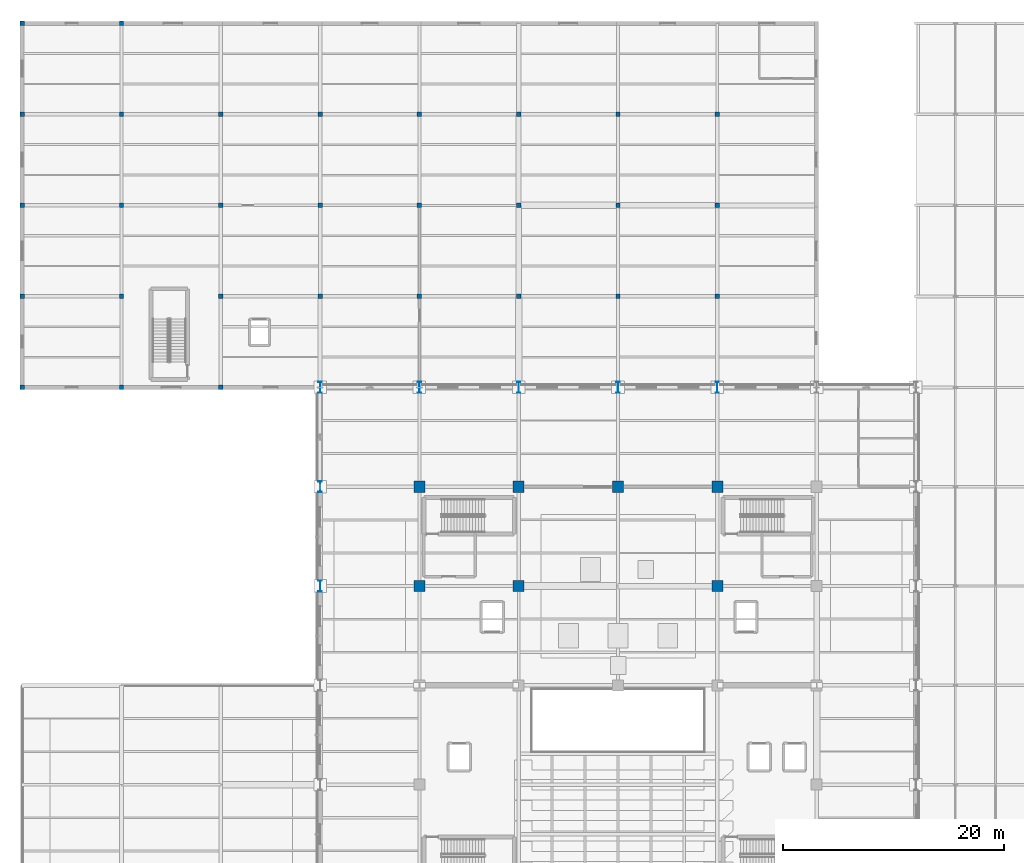
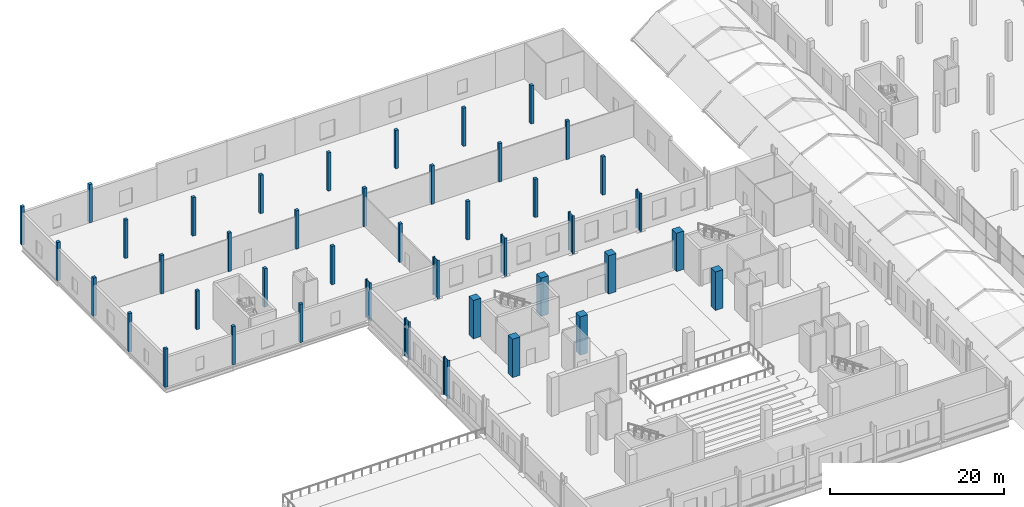
# One storey, part 5 of 141: 43 columns.
"""IFC4 building model written with IfcOpenShell, lengths in metres."""

import ifcopenshell
import ifcopenshell.guid

model = None  # the IFC model being written
_history = None  # IfcOwnerHistory: only IFC2X3 demands one
_inside = {}  # id of a spatial element -> (the spatial element, [elements in it])
_under = {}  # id of a project, library or spatial element -> (it, [spatial elements below it])
_declared = {}  # id of a project -> (the project, [libraries it declares])
_typed = {}  # id of a type object -> (the type object, [elements of that type])
_made_of = {}  # id of a material, layer set ... -> (it, [elements and type objects made of it])


def new_model(schema):
    """Start an empty IFC model of exactly this schema.

    Asked for "IFC4X3", IfcOpenShell would pick the latest addendum, in which some entities
    have other attributes; the version numbers below select the first issue.
    IFC2X3 requires an IfcOwnerHistory on every rooted entity: one is made here for all.
    """
    global model, _history
    if schema == "IFC4X3":
        model = ifcopenshell.file(schema_version=(4, 3, 0, 0))
    else:
        model = ifcopenshell.file(schema=schema)
    _inside.clear()
    _under.clear()
    _declared.clear()
    _typed.clear()
    _made_of.clear()
    _history = None
    if model.schema == "IFC2X3":
        org = make("IfcOrganization", Name="unknown")
        user = make(
            "IfcPersonAndOrganization",
            ThePerson=make("IfcPerson", FamilyName="unknown"),
            TheOrganization=org,
        )
        app = make(
            "IfcApplication",
            ApplicationDeveloper=org,
            Version="unknown",
            ApplicationFullName="unknown",
            ApplicationIdentifier="unknown",
        )
        _history = make(
            "IfcOwnerHistory",
            OwningUser=user,
            OwningApplication=app,
            ChangeAction="ADDED",
            CreationDate=0,
        )
    return model


def make(cls, **values):
    """One entity of the class cls with the attributes given. An attribute that is None is left unset."""
    return model.create_entity(
        cls, **{name: value for name, value in values.items() if value is not None}
    )


def rooted(cls, **values):
    """An entity with a GlobalId (a new one), such as an element, a storey or a relation."""
    return make(cls, GlobalId=ifcopenshell.guid.new(), OwnerHistory=_history, **values)


def si_unit(unit_type, name, prefix=None):
    """IfcSIUnit, for example si_unit("LENGTHUNIT", "METRE", prefix="MILLI")."""
    return make("IfcSIUnit", UnitType=unit_type, Prefix=prefix, Name=name)


def assignment(units):
    """IfcUnitAssignment: the units of a project."""
    return None if units is None else make("IfcUnitAssignment", Units=units)


def point(xyz):
    """IfcCartesianPoint."""
    return None if xyz is None else make("IfcCartesianPoint", Coordinates=xyz)


def direction(xyz):
    """IfcDirection."""
    return None if xyz is None else make("IfcDirection", DirectionRatios=xyz)


def frame(location, z_axis=None, x_axis=None):
    """IfcAxis2Placement3D, a coordinate frame: its origin and axes. An axis left out is left unset."""
    return make(
        "IfcAxis2Placement3D",
        Location=point(location),
        Axis=direction(z_axis),
        RefDirection=direction(x_axis),
    )


def frame_2d(location, x_axis=None):
    """IfcAxis2Placement2D, a coordinate frame in the plane: its origin and x axis."""
    return make(
        "IfcAxis2Placement2D", Location=point(location), RefDirection=direction(x_axis)
    )


def origin():
    """The frame at (0, 0, 0) with its axes left unset."""
    return frame((0.0, 0.0, 0.0))


def origin_2d():
    """The frame at (0, 0) in the plane with its x axis left unset."""
    return frame_2d((0.0, 0.0))


def place(relative_to, where):
    """IfcLocalPlacement: puts the frame where relative to a parent placement (None: the world)."""
    return make(
        "IfcLocalPlacement", PlacementRelTo=relative_to, RelativePlacement=where
    )


def context(
    kind, dimensions, precision=None, world=None, true_north=None, identifier=None
):
    """IfcGeometricRepresentationContext, for example the 3D "Model" context."""
    return make(
        "IfcGeometricRepresentationContext",
        ContextIdentifier=identifier,
        ContextType=kind,
        CoordinateSpaceDimension=dimensions,
        Precision=precision,
        WorldCoordinateSystem=world,
        TrueNorth=true_north,
    )


def subcontext(parent, identifier, kind, view, scale=None):
    """IfcGeometricRepresentationSubContext, for example "Body" below "Model"."""
    return make(
        "IfcGeometricRepresentationSubContext",
        ContextIdentifier=identifier,
        ContextType=kind,
        ParentContext=parent,
        TargetScale=scale,
        TargetView=view,
    )


def project(units=None, contexts=None):
    """IfcProject with its units and contexts."""
    return rooted(
        "IfcProject",
        Name="project",
        RepresentationContexts=contexts,
        UnitsInContext=assignment(units),
    )


def spatial(cls, under=None, at=None, **own):
    """A site, building, storey or space (cls), placed at a placement, below another one or the project."""
    s = rooted(cls, ObjectPlacement=at, **own)
    if under is not None:
        _under.setdefault(under.id(), (under, []))[1].append(s)
    return s


def profile(cls, at=None, kind="AREA", **sizes):
    """A parametric profile (cls). Its sizes go by their IFC names, for example OverallWidth=200.0."""
    return make(cls, ProfileType=kind, Position=at, **sizes)


def rectangle(**sizes):
    """IfcRectangleProfileDef."""
    return profile("IfcRectangleProfileDef", **sizes)


def i_section(**sizes):
    """IfcIShapeProfileDef."""
    return profile("IfcIShapeProfileDef", **sizes)


def extrude(swept, where, along, depth):
    """IfcExtrudedAreaSolid: the profile swept, set in the frame where, extruded along a direction by depth."""
    return make(
        "IfcExtrudedAreaSolid",
        SweptArea=swept,
        Position=where,
        ExtrudedDirection=direction(along),
        Depth=depth,
    )


def shape(context_of_items, identifier, shape_type, items):
    """IfcShapeRepresentation: the items that make up one representation, for example the "Body"."""
    return make(
        "IfcShapeRepresentation",
        ContextOfItems=context_of_items,
        RepresentationIdentifier=identifier,
        RepresentationType=shape_type,
        Items=items,
    )


def material(Name=None, Category=None):
    """IfcMaterial."""
    return make("IfcMaterial", Name=Name, Category=Category)


def material_profile(
    of_material, cross_section, Name=None, Category=None, Priority=None
):
    """IfcMaterialProfile: a cross section and its material."""
    return make(
        "IfcMaterialProfile",
        Name=Name,
        Material=of_material,
        Profile=cross_section,
        Priority=Priority,
        Category=Category,
    )


def profile_set(profiles, Name=None, composite=None):
    """IfcMaterialProfileSet."""
    return make(
        "IfcMaterialProfileSet",
        Name=Name,
        MaterialProfiles=profiles,
        CompositeProfile=composite,
    )


def made_of(thing, what):
    """Note that an element or type object is made of a material, layer set ...; save() writes the relation."""
    if what is not None:
        _made_of.setdefault(what.id(), (what, []))[1].append(thing)
    return thing


def type_object(cls, material=None, **own):
    """A type object (cls), such as IfcWallType, which elements share."""
    return made_of(rooted(cls, **own), material)


def element(
    cls,
    number,
    at=None,
    inside=None,
    cuts=None,
    type_object=None,
    material=None,
    context=None,
    identifier="Body",
    shape_type=None,
    held_by="IfcProductDefinitionShape",
    body=None,
    shapes=None,
    **own,
):
    """One element of the class cls, such as IfcWall. Its Tag is "e" and its number.

    at: its placement. inside: the storey or other place that contains it. cuts: it is an
    opening in that element (IfcRelVoidsElement). A single representation is given by context,
    identifier, shape_type and body (its items); several are given by shapes. held_by: the class
    of the entity that holds the representations. save() writes the other relations.
    """
    e = rooted(cls, Tag="e%d" % number, ObjectPlacement=at, **own)
    if body is not None:
        shapes = [shape(context, identifier, shape_type, body)]
    if shapes is not None:
        e.Representation = make(held_by, Representations=shapes)
    if inside is not None:
        _inside.setdefault(inside.id(), (inside, []))[1].append(e)
    if cuts is not None:
        rooted(
            "IfcRelVoidsElement", RelatingBuildingElement=cuts, RelatedOpeningElement=e
        )
    if type_object is not None:
        _typed.setdefault(type_object.id(), (type_object, []))[1].append(e)
    return made_of(e, material)


def aggregate(whole, parts):
    """IfcRelAggregates: a whole, such as a stair, and the parts it consists of."""
    return rooted("IfcRelAggregates", RelatingObject=whole, RelatedObjects=parts)


def save(model, path):
    """Write the relations noted so far, then the file.

    IfcRelAggregates (storeys below a building ...), IfcRelContainedInSpatialStructure (elements
    in a storey), IfcRelDefinesByType, IfcRelAssociatesMaterial and IfcRelDeclares: one each for
    every whole, place, type object, material and project.
    """
    for whole, parts in _under.values():
        aggregate(whole, parts)
    for where, things in _inside.values():
        rooted(
            "IfcRelContainedInSpatialStructure",
            RelatedElements=things,
            RelatingStructure=where,
        )
    for kind, things in _typed.values():
        rooted("IfcRelDefinesByType", RelatedObjects=things, RelatingType=kind)
    for what, things in _made_of.values():
        rooted("IfcRelAssociatesMaterial", RelatedObjects=things, RelatingMaterial=what)
    for by, libraries in _declared.values():
        rooted("IfcRelDeclares", RelatingContext=by, RelatedDefinitions=libraries)
    model.write(path)


model = new_model("IFC4")

# Units and contexts
model_context = context("Model", 3, precision=1e-05, world=origin(), true_north=direction((0.0, 1.0)))
body_context = subcontext(model_context, "Body", "Model", "MODEL_VIEW")
ifc_project = project(units=[si_unit("LENGTHUNIT", "METRE"), si_unit("AREAUNIT", "SQUARE_METRE"), si_unit("VOLUMEUNIT", "CUBIC_METRE"), si_unit("PLANEANGLEUNIT", "RADIAN"), si_unit("MASSUNIT", "GRAM", prefix="KILO")], contexts=[model_context])

# Site, building, storey
site_placement = place(None, origin())
site = spatial("IfcSite", under=ifc_project, at=site_placement, CompositionType="ELEMENT")
building_placement = place(site_placement, origin())
building = spatial("IfcBuilding", under=site, at=building_placement, Name="Sundgate Opera House", CompositionType="ELEMENT")
storey_placement = place(building_placement, frame((0.0, 0.0, 11.39990234375)))
storey = spatial("IfcBuildingStorey", under=building, at=storey_placement, Name="L02", CompositionType="ELEMENT", Elevation=11.39990234375)

# Columns
ifc_material_1 = material(Name="Concrete C45/55", Category="concrete")
ifc_material_profile_1 = material_profile(ifc_material_1, rectangle(XDim=1.0, YDim=1.0, at=origin_2d()), Name="RC 1000x1000")
ifc_profile_set_1 = profile_set([ifc_material_profile_1], Name="Concrete C45/55")
column_type_1 = type_object("IfcColumnType", Name="CL-RC-1000", PredefinedType="COLUMN", material=ifc_profile_set_1)
for number, where, z_axis, x_axis, name in (
    (1, (36.0, 69.0, 0.0), (0.0, 0.0, 1.0), (1.0, 0.0, 0.0), "L02 Column C0243"),
    (2, (36.0, 78.0, 0.0), (0.0, 0.0, 1.0), (1.0, 0.0, 0.0), "L02 Column C0251"),
    (3, (45.0, 69.0, 0.0), (0.0, 0.0, 1.0), (1.0, 0.0, 0.0), "L02 Column C0303"),
    (4, (45.0, 78.0, 0.0), (0.0, 0.0, 1.0), (1.0, 0.0, 0.0), "L02 Column C0311"),
    (5, (54.0, 78.0, 0.0), (0.0, 0.0, 1.0), (1.0, 0.0, 0.0), "L02 Column C0366"),
    (6, (63.0, 69.0, 0.0), (0.0, 0.0, 1.0), (1.0, 0.0, 0.0), "L02 Column C0419"),
    (7, (63.0, 78.0, 0.0), (0.0, 0.0, 1.0), (1.0, 0.0, 0.0), "L02 Column C0427"),
):
    element("IfcColumn", number, at=place(storey_placement, frame(where, z_axis=z_axis, x_axis=x_axis)), inside=storey, type_object=column_type_1, Name=name, PredefinedType="COLUMN", context=body_context, shape_type="SweptSolid", body=[
        extrude(rectangle(XDim=1.0, YDim=1.0, at=origin_2d()), origin(), (0.0, 0.0, 1.0), 5.400146484375),
    ])
ifc_material_2 = material(Name="Concrete C35/45", Category="concrete")
ifc_material_profile_2 = material_profile(ifc_material_2, rectangle(XDim=0.39990234375, YDim=0.39990234375, at=origin_2d()), Name="RC 400x400")
ifc_profile_set_2 = profile_set([ifc_material_profile_2], Name="Concrete C35/45")
column_type_2 = type_object("IfcColumnType", Name="CL-RC-400", PredefinedType="COLUMN", material=ifc_profile_set_2)
for number, where, z_axis, x_axis, name in (
    (8, (0.0, 87.0, 0.0), (0.0, 0.0, 1.0), (1.0, 0.0, 0.0), "L02 Column C0032"),
    (9, (0.0, 95.25, 0.0), (0.0, 0.0, 1.0), (1.0, 0.0, 0.0), "L02 Column C0036"),
    (10, (0.0, 103.5, 0.0), (0.0, 0.0, 1.0), (1.0, 0.0, 0.0), "L02 Column C0040"),
    (11, (0.0, 111.75, 0.0), (0.0, 0.0, 1.0), (1.0, 0.0, 0.0), "L02 Column C0044"),
    (12, (0.0, 120.0, 0.0), (0.0, 0.0, 1.0), (1.0, 0.0, 0.0), "L02 Column C0048"),
    (13, (9.0, 87.0, 0.0), (0.0, 0.0, 1.0), (1.0, 0.0, 0.0), "L02 Column C0080"),
    (14, (9.0, 95.25, 0.0), (0.0, 0.0, 1.0), (1.0, 0.0, 0.0), "L02 Column C0085"),
    (15, (9.0, 103.5, 0.0), (0.0, 0.0, 1.0), (1.0, 0.0, 0.0), "L02 Column C0090"),
    (16, (9.0, 111.75, 0.0), (0.0, 0.0, 1.0), (1.0, 0.0, 0.0), "L02 Column C0095"),
    (17, (9.0, 120.0, 0.0), (0.0, 0.0, 1.0), (1.0, 0.0, 0.0), "L02 Column C0100"),
    (18, (18.0, 87.0, 0.0), (0.0, 0.0, 1.0), (1.0, 0.0, 0.0), "L02 Column C0129"),
    (19, (18.0, 95.25, 0.0), (0.0, 0.0, 1.0), (1.0, 0.0, 0.0), "L02 Column C0134"),
    (20, (18.0, 103.5, 0.0), (0.0, 0.0, 1.0), (1.0, 0.0, 0.0), "L02 Column C0139"),
    (21, (18.0, 111.75, 0.0), (0.0, 0.0, 1.0), (1.0, 0.0, 0.0), "L02 Column C0144"),
    (22, (27.0, 95.25, 0.0), (0.0, 0.0, 1.0), (1.0, 0.0, 0.0), "L02 Column C0200"),
    (23, (27.0, 103.5, 0.0), (0.0, 0.0, 1.0), (1.0, 0.0, 0.0), "L02 Column C0205"),
    (24, (27.0, 111.75, 0.0), (0.0, 0.0, 1.0), (1.0, 0.0, 0.0), "L02 Column C0210"),
    (25, (36.0, 95.25, 0.0), (0.0, 0.0, 1.0), (1.0, 0.0, 0.0), "L02 Column C0265"),
    (26, (36.0, 103.5, 0.0), (0.0, 0.0, 1.0), (1.0, 0.0, 0.0), "L02 Column C0270"),
    (27, (36.0, 111.75, 0.0), (0.0, 0.0, 1.0), (1.0, 0.0, 0.0), "L02 Column C0275"),
    (28, (45.0, 95.25, 0.0), (0.0, 0.0, 1.0), (1.0, 0.0, 0.0), "L02 Column C0325"),
    (29, (45.0, 103.5, 0.0), (0.0, 0.0, 1.0), (1.0, 0.0, 0.0), "L02 Column C0330"),
    (30, (45.0, 111.75, 0.0), (0.0, 0.0, 1.0), (1.0, 0.0, 0.0), "L02 Column C0335"),
    (31, (54.0, 95.25, 0.0), (0.0, 0.0, 1.0), (1.0, 0.0, 0.0), "L02 Column C0380"),
    (32, (54.0, 103.5, 0.0), (0.0, 0.0, 1.0), (1.0, 0.0, 0.0), "L02 Column C0385"),
    (33, (54.0, 111.75, 0.0), (0.0, 0.0, 1.0), (1.0, 0.0, 0.0), "L02 Column C0390"),
    (34, (63.0, 95.25, 0.0), (0.0, 0.0, 1.0), (1.0, 0.0, 0.0), "L02 Column C0441"),
    (35, (63.0, 103.5, 0.0), (0.0, 0.0, 1.0), (1.0, 0.0, 0.0), "L02 Column C0446"),
    (36, (63.0, 111.75, 0.0), (0.0, 0.0, 1.0), (1.0, 0.0, 0.0), "L02 Column C0451"),
):
    element("IfcColumn", number, at=place(storey_placement, frame(where, z_axis=z_axis, x_axis=x_axis)), inside=storey, type_object=column_type_2, Name=name, PredefinedType="COLUMN", context=body_context, shape_type="SweptSolid", body=[
        extrude(rectangle(XDim=0.39990234375, YDim=0.39990234375, at=origin_2d()), origin(), (0.0, 0.0, 1.0), 5.400146484375),
    ])
ifc_material_3 = material(Name="Steel S355J2", Category="steel")
ifc_material_profile_3 = material_profile(ifc_material_3, i_section(OverallWidth=0.300048828125, OverallDepth=1.0, WebThickness=0.01904296875, FlangeThickness=0.035888671875, at=origin_2d()), Name="HEB 1000")
ifc_profile_set_3 = profile_set([ifc_material_profile_3], Name="Steel S355J2")
column_type_3 = type_object("IfcColumnType", Name="CL-STL-1000", PredefinedType="COLUMN", material=ifc_profile_set_3)
for number, where, z_axis, x_axis, name in (
    (37, (27.0, 69.0, 0.0), (0.0, 0.0, 1.0), (1.0, 0.0, 0.0), "L02 Column C0180"),
    (38, (27.0, 78.0, 0.0), (0.0, 0.0, 1.0), (1.0, 0.0, 0.0), "L02 Column C0186"),
    (39, (27.0, 87.0, 0.0), (0.0, 0.0, 1.0), (1.0, 0.0, 0.0), "L02 Column C0192"),
    (40, (36.0, 87.0, 0.0), (0.0, 0.0, 1.0), (1.0, 0.0, 0.0), "L02 Column C0257"),
    (41, (45.0, 87.0, 0.0), (0.0, 0.0, 1.0), (1.0, 0.0, 0.0), "L02 Column C0317"),
    (42, (54.0, 87.0, 0.0), (0.0, 0.0, 1.0), (1.0, 0.0, 0.0), "L02 Column C0372"),
    (43, (63.0, 87.0, 0.0), (0.0, 0.0, 1.0), (1.0, 0.0, 0.0), "L02 Column C0433"),
):
    element("IfcColumn", number, at=place(storey_placement, frame(where, z_axis=z_axis, x_axis=x_axis)), inside=storey, type_object=column_type_3, Name=name, PredefinedType="COLUMN", context=body_context, shape_type="SweptSolid", body=[
        extrude(i_section(OverallWidth=0.300048828125, OverallDepth=1.0, WebThickness=0.01904296875, FlangeThickness=0.035888671875, at=origin_2d()), origin(), (0.0, 0.0, 1.0), 5.400146484375),
    ])

save(model, "model.ifc")
